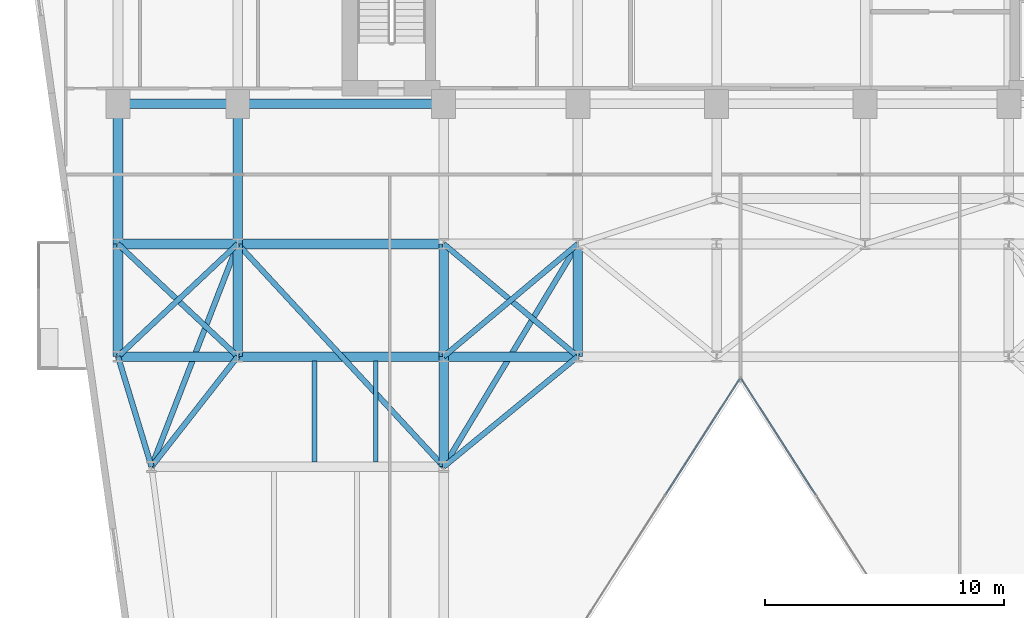
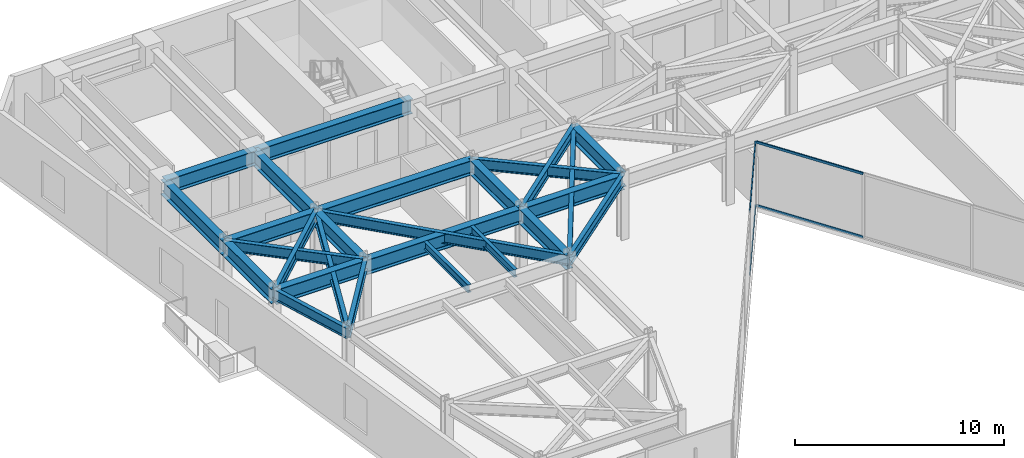
# One storey, part 6 of 20: 26 beams, 4 members, 2 elements without a shape of their own.
"""IFC4 building model written with IfcOpenShell, lengths in metres."""

from ifc_helpers import new_model, si_unit, direction, frame, origin, origin_2d, place, context, subcontext, project, spatial, hollow_rectangle, i_section, extrude, material, layer, layer_set, material_profile, profile_set, type_object, element, aggregate, save


model = new_model("IFC4")

# Units and contexts
model_context = context("Model", 3, precision=1e-05, world=origin(), true_north=direction((0.0, 1.0)))
body_context = subcontext(model_context, "Body", "Model", "MODEL_VIEW")
ifc_project = project(units=[si_unit("LENGTHUNIT", "METRE"), si_unit("AREAUNIT", "SQUARE_METRE"), si_unit("VOLUMEUNIT", "CUBIC_METRE"), si_unit("PLANEANGLEUNIT", "RADIAN"), si_unit("MASSUNIT", "GRAM", prefix="KILO")], contexts=[model_context])

# Site, building, storey
site_placement = place(None, origin())
site = spatial("IfcSite", under=ifc_project, at=site_placement, CompositionType="ELEMENT")
building_placement = place(site_placement, origin())
building = spatial("IfcBuilding", under=site, at=building_placement, Name="Kravanh Interchange Tower", CompositionType="ELEMENT")
storey_placement = place(building_placement, frame((0.0, 0.0, 104.0)))
storey = spatial("IfcBuildingStorey", under=building, at=storey_placement, Name="L24", CompositionType="ELEMENT", Elevation=104.0)

# Curtain wall, members
ifc_material_1 = material(Name="Anodised Bronze Aluminium", Category="aluminium")
ifc_layer = layer(ifc_material_1, 0.179931640625)
ifc_layer_set = layer_set([ifc_layer], Name="Unitised Curtain Wall System CW-Z2 Mid Office")
curtain_wall_type = type_object("IfcCurtainWallType", Name="Unitised Curtain Wall System CW-Z2 Mid Office", PredefinedType="NOTDEFINED", material=ifc_layer_set)
curtain_wall_1_placement = place(storey_placement, origin())
curtain_wall_1 = element("IfcCurtainWall", 1, at=curtain_wall_1_placement, inside=storey, type_object=curtain_wall_type, Name="L24 Unitised Curtain Wall CW-L24-03", PredefinedType="NOTDEFINED")
ifc_material_2 = material(Name="Anodised Bronze Aluminium", Category="aluminium")
ifc_material_profile_1 = material_profile(ifc_material_2, hollow_rectangle(XDim=0.06005859375, YDim=0.139892578125, WallThickness=0.00390625, at=origin_2d()), Name="ALU60X140X4")
ifc_profile_set_1 = profile_set([ifc_material_profile_1], Name="Anodised Bronze Aluminium")
member_type = type_object("IfcMemberType", Name="Curtain Wall Transom ALU60X140X4 Bronze", PredefinedType="USERDEFINED", material=ifc_profile_set_1)
member_1_placement = place(storey_placement, frame((42.72509765625, 21.047119140625, 0.030029296875), z_axis=(-0.53966766312, 0.841878146398, 0.0), x_axis=(-0.841878146398, -0.53966766312, 0.0)))
member_1 = element("IfcMember", 2, at=member_1_placement, type_object=member_type, Name="CW-Z2 transom 4.1", ObjectType="TRANSOM", PredefinedType="USERDEFINED", context=body_context, shape_type="SweptSolid", body=[
    extrude(hollow_rectangle(XDim=0.06005859375, YDim=0.139892578125, WallThickness=0.00390625, at=origin_2d()), origin(), (0.0, 0.0, 1.0), 5.73095703125),
])
member_2_placement = place(storey_placement, frame((42.72509765625, 21.047119140625, 3.719970703125), z_axis=(-0.53966766312, 0.841878146398, 0.0), x_axis=(-0.841878146398, -0.53966766312, 0.0)))
member_2 = element("IfcMember", 3, at=member_2_placement, type_object=member_type, Name="CW-Z2 transom 4.2", ObjectType="TRANSOM", PredefinedType="USERDEFINED", context=body_context, shape_type="SweptSolid", body=[
    extrude(hollow_rectangle(XDim=0.06005859375, YDim=0.139892578125, WallThickness=0.00390625, at=origin_2d()), origin(), (0.0, 0.0, 1.0), 5.73095703125),
])
aggregate(curtain_wall_1, [member_1, member_2])

curtain_wall_2_placement = place(storey_placement, origin())
curtain_wall_2 = element("IfcCurtainWall", 4, at=curtain_wall_2_placement, inside=storey, type_object=curtain_wall_type, Name="L24 Unitised Curtain Wall CW-L24-04", PredefinedType="NOTDEFINED")
member_3_placement = place(storey_placement, frame((39.567626953125, 25.871826171875, 0.030029296875), z_axis=(-0.53966766312, -0.841878146398, 0.0), x_axis=(0.841878146398, -0.53966766312, 0.0)))
member_3 = element("IfcMember", 5, at=member_3_placement, type_object=member_type, Name="CW-Z2 transom 1.1", ObjectType="TRANSOM", PredefinedType="USERDEFINED", context=body_context, shape_type="SweptSolid", body=[
    extrude(hollow_rectangle(XDim=0.06005859375, YDim=0.139892578125, WallThickness=0.00390625, at=origin_2d()), origin(), (0.0, 0.0, 1.0), 5.73095703125),
])
member_4_placement = place(storey_placement, frame((39.567626953125, 25.871826171875, 3.719970703125), z_axis=(-0.53966766312, -0.841878146398, 0.0), x_axis=(0.841878146398, -0.53966766312, 0.0)))
member_4 = element("IfcMember", 6, at=member_4_placement, type_object=member_type, Name="CW-Z2 transom 1.2", ObjectType="TRANSOM", PredefinedType="USERDEFINED", context=body_context, shape_type="SweptSolid", body=[
    extrude(hollow_rectangle(XDim=0.06005859375, YDim=0.139892578125, WallThickness=0.00390625, at=origin_2d()), origin(), (0.0, 0.0, 1.0), 5.73095703125),
])
aggregate(curtain_wall_2, [member_3, member_4])

# Beams
ifc_material_3 = material(Name="Structural Steel S355", Category="steel")
ifc_material_profile_2 = material_profile(ifc_material_3, i_section(OverallWidth=0.39990234375, OverallDepth=0.85595703125, WebThickness=0.018310546875, FlangeThickness=0.029296875, FilletRadius=0.02490234375, at=origin_2d()), Name="W33X201")
ifc_profile_set_2 = profile_set([ifc_material_profile_2], Name="Structural Steel S355")
beam_type_1 = type_object("IfcBeamType", Name="Floor Beam W33X201 Structural Steel S355", PredefinedType="BEAM", material=ifc_profile_set_2)
beam_1_placement = place(storey_placement, frame((27.199951171875, 37.35009765625, 3.322021484375), z_axis=(-1.0, 0.0, 0.0), x_axis=(0.0, -1.0, 0.0)))
element("IfcBeam", 7, at=beam_1_placement, inside=storey, type_object=beam_type_1, Name="L24 Primary Floor Girder 25", PredefinedType="BEAM", context=body_context, shape_type="SweptSolid", body=[
    extrude(i_section(OverallWidth=0.39990234375, OverallDepth=0.85595703125, WebThickness=0.018310546875, FlangeThickness=0.029296875, FilletRadius=0.02490234375, at=origin_2d()), origin(), (0.0, 0.0, 1.0), 8.599853515625),
])
beam_2_placement = place(storey_placement, frame((18.60009765625, 37.35009765625, 3.322021484375), z_axis=(-1.0, 0.0, 0.0), x_axis=(0.0, -1.0, 0.0)))
element("IfcBeam", 8, at=beam_2_placement, inside=storey, type_object=beam_type_1, Name="L24 Primary Floor Girder 28", PredefinedType="BEAM", context=body_context, shape_type="SweptSolid", body=[
    extrude(i_section(OverallWidth=0.39990234375, OverallDepth=0.85595703125, WebThickness=0.018310546875, FlangeThickness=0.029296875, FilletRadius=0.02490234375, at=origin_2d()), origin(), (0.0, 0.0, 1.0), 5.0),
])
for number, where, z_axis, x_axis, name in (
    (9, (18.60009765625, 37.35009765625, 3.322021484375), (0.0, -1.0, 0.0), (1.0, 0.0, 0.0), "L24 Primary Floor Girder 29"),
    (10, (13.60009765625, 37.35009765625, 3.322021484375), (0.0, -1.0, 0.0), (1.0, 0.0, 0.0), "L24 Primary Floor Girder 32"),
):
    element("IfcBeam", number, at=place(storey_placement, frame(where, z_axis=z_axis, x_axis=x_axis)), inside=storey, type_object=beam_type_1, Name=name, PredefinedType="BEAM", context=body_context, shape_type="SweptSolid", body=[
        extrude(i_section(OverallWidth=0.39990234375, OverallDepth=0.85595703125, WebThickness=0.018310546875, FlangeThickness=0.029296875, FilletRadius=0.02490234375, at=origin_2d()), origin(), (0.0, 0.0, 1.0), 5.85009765625),
    ])
beam_3_placement = place(storey_placement, frame((13.60009765625, 26.800048828125, 3.322021484375), z_axis=(0.0, 1.0, 0.0), x_axis=(-1.0, 0.0, 0.0)))
element("IfcBeam", 11, at=beam_3_placement, inside=storey, type_object=beam_type_1, Name="L24 Primary Floor Girder 37", PredefinedType="BEAM", context=body_context, shape_type="SweptSolid", body=[
    extrude(i_section(OverallWidth=0.39990234375, OverallDepth=0.85595703125, WebThickness=0.018310546875, FlangeThickness=0.029296875, FilletRadius=0.02490234375, at=origin_2d()), origin(), (0.0, 0.0, 1.0), 4.699951171875),
])
beam_4_placement = place(storey_placement, frame((13.60009765625, 26.800048828125, 3.322021484375), z_axis=(1.0, 0.0, 0.0), x_axis=(0.0, 1.0, 0.0)))
element("IfcBeam", 12, at=beam_4_placement, inside=storey, type_object=beam_type_1, Name="L24 Primary Floor Girder 39", PredefinedType="BEAM", context=body_context, shape_type="SweptSolid", body=[
    extrude(i_section(OverallWidth=0.39990234375, OverallDepth=0.85595703125, WebThickness=0.018310546875, FlangeThickness=0.029296875, FilletRadius=0.02490234375, at=origin_2d()), origin(), (0.0, 0.0, 1.0), 5.0),
])
beam_5_placement = place(storey_placement, frame((18.60009765625, 26.800048828125, 3.322021484375), z_axis=(0.0, 1.0, 0.0), x_axis=(-1.0, 0.0, 0.0)))
element("IfcBeam", 13, at=beam_5_placement, inside=storey, type_object=beam_type_1, Name="L24 Primary Floor Girder 41", PredefinedType="BEAM", context=body_context, shape_type="SweptSolid", body=[
    extrude(i_section(OverallWidth=0.39990234375, OverallDepth=0.85595703125, WebThickness=0.018310546875, FlangeThickness=0.029296875, FilletRadius=0.02490234375, at=origin_2d()), origin(), (0.0, 0.0, 1.0), 4.699951171875),
])
beam_6_placement = place(storey_placement, frame((18.60009765625, 26.800048828125, 3.322021484375), z_axis=(1.0, 0.0, 0.0), x_axis=(0.0, 1.0, 0.0)))
element("IfcBeam", 14, at=beam_6_placement, inside=storey, type_object=beam_type_1, Name="L24 Primary Floor Girder 44", PredefinedType="BEAM", context=body_context, shape_type="SweptSolid", body=[
    extrude(i_section(OverallWidth=0.39990234375, OverallDepth=0.85595703125, WebThickness=0.018310546875, FlangeThickness=0.029296875, FilletRadius=0.02490234375, at=origin_2d()), origin(), (0.0, 0.0, 1.0), 8.599853515625),
])
beam_7_placement = place(storey_placement, frame((27.199951171875, 26.800048828125, 3.322021484375), z_axis=(0.0, -1.0, 0.0), x_axis=(1.0, 0.0, 0.0)))
element("IfcBeam", 15, at=beam_7_placement, inside=storey, type_object=beam_type_1, Name="L24 Primary Floor Girder 45", PredefinedType="BEAM", context=body_context, shape_type="SweptSolid", body=[
    extrude(i_section(OverallWidth=0.39990234375, OverallDepth=0.85595703125, WebThickness=0.018310546875, FlangeThickness=0.029296875, FilletRadius=0.02490234375, at=origin_2d()), origin(), (0.0, 0.0, 1.0), 4.60009765625),
])
beam_8_placement = place(storey_placement, frame((27.199951171875, 26.800048828125, 3.322021484375), z_axis=(0.0, 1.0, 0.0), x_axis=(-1.0, 0.0, 0.0)))
element("IfcBeam", 16, at=beam_8_placement, inside=storey, type_object=beam_type_1, Name="L24 Primary Floor Girder 46", PredefinedType="BEAM", context=body_context, shape_type="SweptSolid", body=[
    extrude(i_section(OverallWidth=0.39990234375, OverallDepth=0.85595703125, WebThickness=0.018310546875, FlangeThickness=0.029296875, FilletRadius=0.02490234375, at=origin_2d()), origin(), (0.0, 0.0, 1.0), 4.699951171875),
])
beam_9_placement = place(storey_placement, frame((27.199951171875, 26.800048828125, 3.322021484375), z_axis=(1.0, 0.0, 0.0), x_axis=(0.0, 1.0, 0.0)))
element("IfcBeam", 17, at=beam_9_placement, inside=storey, type_object=beam_type_1, Name="L24 Primary Floor Girder 47", PredefinedType="BEAM", context=body_context, shape_type="SweptSolid", body=[
    extrude(i_section(OverallWidth=0.39990234375, OverallDepth=0.85595703125, WebThickness=0.018310546875, FlangeThickness=0.029296875, FilletRadius=0.02490234375, at=origin_2d()), origin(), (0.0, 0.0, 1.0), 5.60009765625),
])
beam_10_placement = place(storey_placement, frame((32.800048828125, 26.800048828125, 3.322021484375), z_axis=(0.0, 1.0, 0.0), x_axis=(-1.0, 0.0, 0.0)))
element("IfcBeam", 18, at=beam_10_placement, inside=storey, type_object=beam_type_1, Name="L24 Primary Floor Girder 49", PredefinedType="BEAM", context=body_context, shape_type="SweptSolid", body=[
    extrude(i_section(OverallWidth=0.39990234375, OverallDepth=0.85595703125, WebThickness=0.018310546875, FlangeThickness=0.029296875, FilletRadius=0.02490234375, at=origin_2d()), origin(), (0.0, 0.0, 1.0), 4.699951171875),
])
beam_11_placement = place(storey_placement, frame((13.60009765625, 31.5, 3.322021484375), z_axis=(1.0, 0.0, 0.0), x_axis=(0.0, 1.0, 0.0)))
element("IfcBeam", 19, at=beam_11_placement, inside=storey, type_object=beam_type_1, Name="L24 Primary Floor Girder 69", PredefinedType="BEAM", context=body_context, shape_type="SweptSolid", body=[
    extrude(i_section(OverallWidth=0.39990234375, OverallDepth=0.85595703125, WebThickness=0.018310546875, FlangeThickness=0.029296875, FilletRadius=0.02490234375, at=origin_2d()), origin(), (0.0, 0.0, 1.0), 5.0),
])
beam_12_placement = place(storey_placement, frame((18.60009765625, 31.5, 3.322021484375), z_axis=(1.0, 0.0, 0.0), x_axis=(0.0, 1.0, 0.0)))
element("IfcBeam", 20, at=beam_12_placement, inside=storey, type_object=beam_type_1, Name="L24 Primary Floor Girder 71", PredefinedType="BEAM", context=body_context, shape_type="SweptSolid", body=[
    extrude(i_section(OverallWidth=0.39990234375, OverallDepth=0.85595703125, WebThickness=0.018310546875, FlangeThickness=0.029296875, FilletRadius=0.02490234375, at=origin_2d()), origin(), (0.0, 0.0, 1.0), 8.599853515625),
])
ifc_material_4 = material(Name="Structural Steel S355", Category="steel")
ifc_material_profile_3 = material_profile(ifc_material_4, i_section(OverallWidth=0.18994140625, OverallDepth=0.45703125, WebThickness=0.009033203125, FlangeThickness=0.014404296875, FilletRadius=0.01806640625, at=origin_2d()), Name="W18X50")
ifc_profile_set_3 = profile_set([ifc_material_profile_3], Name="Structural Steel S355")
beam_type_2 = type_object("IfcBeamType", Name="Floor Joist W18X50 Structural Steel S355", PredefinedType="JOIST", material=ifc_profile_set_3)
for number, where, z_axis, x_axis, name in (
    (21, (21.804931640625, 22.39501953125, 3.521484375), (0.0, 1.0, 0.0), (-1.0, 0.0, 0.0), "L24 Secondary Floor Joist 11"),
    (22, (24.360107421875, 22.39501953125, 3.521484375), (0.0, 1.0, 0.0), (-1.0, 0.0, 0.0), "L24 Secondary Floor Joist 12"),
):
    element("IfcBeam", number, at=place(storey_placement, frame(where, z_axis=z_axis, x_axis=x_axis)), inside=storey, type_object=beam_type_2, Name=name, PredefinedType="JOIST", context=body_context, shape_type="SweptSolid", body=[
        extrude(i_section(OverallWidth=0.18994140625, OverallDepth=0.45703125, WebThickness=0.009033203125, FlangeThickness=0.014404296875, FilletRadius=0.01806640625, at=origin_2d()), origin(), (0.0, 0.0, 1.0), 4.2099609375),
    ])
ifc_material_5 = material(Name="Structural Steel S355", Category="steel")
ifc_material_profile_4 = material_profile(ifc_material_5, i_section(OverallWidth=0.22802734375, OverallDepth=0.60791015625, WebThickness=0.01123046875, FlangeThickness=0.017333984375, FilletRadius=0.02197265625, at=origin_2d()), Name="W24X76")
ifc_profile_set_4 = profile_set([ifc_material_profile_4], Name="Structural Steel S355")
beam_type_3 = type_object("IfcBeamType", Name="Floor Spandrel W24X76 Structural Steel S355", PredefinedType="SPANDREL", material=ifc_profile_set_4)
beam_13_placement = place(storey_placement, frame((13.60009765625, 26.800048828125, 3.446044921875), z_axis=(0.291137370727, -0.956681259023, 0.0), x_axis=(0.956681259023, 0.291137370727, 0.0)))
element("IfcBeam", 23, at=beam_13_placement, inside=storey, type_object=beam_type_3, Name="L24 Perimeter Spandrel 38", PredefinedType="SPANDREL", context=body_context, shape_type="SweptSolid", body=[
    extrude(i_section(OverallWidth=0.22802734375, OverallDepth=0.60791015625, WebThickness=0.01123046875, FlangeThickness=0.017333984375, FilletRadius=0.02197265625, at=origin_2d()), origin(), (0.0, 0.0, 1.0), 4.808349609375),
])
beam_14_placement = place(storey_placement, frame((13.60009765625, 26.800048828125, 3.446044921875), z_axis=(0.728631219862, 0.684906231131, 0.0), x_axis=(-0.684906231131, 0.728631219862, 0.0)))
element("IfcBeam", 24, at=beam_14_placement, inside=storey, type_object=beam_type_3, Name="L24 Perimeter Spandrel 40", PredefinedType="SPANDREL", context=body_context, shape_type="SweptSolid", body=[
    extrude(i_section(OverallWidth=0.22802734375, OverallDepth=0.60791015625, WebThickness=0.01123046875, FlangeThickness=0.017333984375, FilletRadius=0.02197265625, at=origin_2d()), origin(), (0.0, 0.0, 1.0), 6.862060546875),
])
beam_15_placement = place(storey_placement, frame((18.60009765625, 26.800048828125, 3.446044921875), z_axis=(-0.616310515553, -0.787503237085, 0.0), x_axis=(0.787503237085, -0.616310515553, 0.0)))
element("IfcBeam", 25, at=beam_15_placement, inside=storey, type_object=beam_type_3, Name="L24 Perimeter Spandrel 42", PredefinedType="SPANDREL", context=body_context, shape_type="SweptSolid", body=[
    extrude(i_section(OverallWidth=0.22802734375, OverallDepth=0.60791015625, WebThickness=0.01123046875, FlangeThickness=0.017333984375, FilletRadius=0.02197265625, at=origin_2d()), origin(), (0.0, 0.0, 1.0), 5.84130859375),
])
beam_16_placement = place(storey_placement, frame((18.60009765625, 26.800048828125, 3.446044921875), z_axis=(-0.728631219862, 0.684906231131, 0.0), x_axis=(-0.684906231131, -0.728631219862, 0.0)))
element("IfcBeam", 26, at=beam_16_placement, inside=storey, type_object=beam_type_3, Name="L24 Perimeter Spandrel 43", PredefinedType="SPANDREL", context=body_context, shape_type="SweptSolid", body=[
    extrude(i_section(OverallWidth=0.22802734375, OverallDepth=0.60791015625, WebThickness=0.01123046875, FlangeThickness=0.017333984375, FilletRadius=0.02197265625, at=origin_2d()), origin(), (0.0, 0.0, 1.0), 6.862060546875),
])
beam_17_placement = place(storey_placement, frame((27.199951171875, 26.800048828125, 3.446044921875), z_axis=(0.765983062929, 0.642860752657, 0.0), x_axis=(-0.642860752657, 0.765983062929, 0.0)))
element("IfcBeam", 27, at=beam_17_placement, inside=storey, type_object=beam_type_3, Name="L24 Perimeter Spandrel 48", PredefinedType="SPANDREL", context=body_context, shape_type="SweptSolid", body=[
    extrude(i_section(OverallWidth=0.22802734375, OverallDepth=0.60791015625, WebThickness=0.01123046875, FlangeThickness=0.017333984375, FilletRadius=0.02197265625, at=origin_2d()), origin(), (0.0, 0.0, 1.0), 7.31103515625),
])
beam_18_placement = place(storey_placement, frame((32.800048828125, 26.800048828125, 3.446044921875), z_axis=(-0.772725074305, -0.634740860147, 0.0), x_axis=(0.634740860147, -0.772725074305, 0.0)))
element("IfcBeam", 28, at=beam_18_placement, inside=storey, type_object=beam_type_3, Name="L24 Perimeter Spandrel 51", PredefinedType="SPANDREL", context=body_context, shape_type="SweptSolid", body=[
    extrude(i_section(OverallWidth=0.22802734375, OverallDepth=0.60791015625, WebThickness=0.01123046875, FlangeThickness=0.017333984375, FilletRadius=0.02197265625, at=origin_2d()), origin(), (0.0, 0.0, 1.0), 7.247314453125),
])
beam_19_placement = place(storey_placement, frame((32.800048828125, 26.800048828125, 3.446044921875), z_axis=(-0.765983062929, 0.642860752657, 0.0), x_axis=(-0.642860752657, -0.765983062929, 0.0)))
element("IfcBeam", 29, at=beam_19_placement, inside=storey, type_object=beam_type_3, Name="L24 Perimeter Spandrel 52", PredefinedType="SPANDREL", context=body_context, shape_type="SweptSolid", body=[
    extrude(i_section(OverallWidth=0.22802734375, OverallDepth=0.60791015625, WebThickness=0.01123046875, FlangeThickness=0.017333984375, FilletRadius=0.02197265625, at=origin_2d()), origin(), (0.0, 0.0, 1.0), 7.31103515625),
])
beam_20_placement = place(storey_placement, frame((18.60009765625, 31.5, 3.446044921875), z_axis=(-0.3610009706, -0.932565439648, 0.0), x_axis=(0.932565439648, -0.3610009706, 0.0)))
element("IfcBeam", 30, at=beam_20_placement, inside=storey, type_object=beam_type_3, Name="L24 Perimeter Spandrel 72", PredefinedType="SPANDREL", context=body_context, shape_type="SweptSolid", body=[
    extrude(i_section(OverallWidth=0.22802734375, OverallDepth=0.60791015625, WebThickness=0.01123046875, FlangeThickness=0.017333984375, FilletRadius=0.02197265625, at=origin_2d()), origin(), (0.0, 0.0, 1.0), 9.97265625),
])
beam_21_placement = place(storey_placement, frame((18.60009765625, 31.5, 3.446044921875), z_axis=(0.678927458783, -0.734205356634, 0.0), x_axis=(0.734205356634, 0.678927458783, 0.0)))
element("IfcBeam", 31, at=beam_21_placement, inside=storey, type_object=beam_type_3, Name="L24 Perimeter Spandrel 73", PredefinedType="SPANDREL", context=body_context, shape_type="SweptSolid", body=[
    extrude(i_section(OverallWidth=0.22802734375, OverallDepth=0.60791015625, WebThickness=0.01123046875, FlangeThickness=0.017333984375, FilletRadius=0.02197265625, at=origin_2d()), origin(), (0.0, 0.0, 1.0), 12.666748046875),
])
beam_22_placement = place(storey_placement, frame((32.800048828125, 31.5, 3.446044921875), z_axis=(-0.515854375109, -0.856676288735, 0.0), x_axis=(0.856676288735, -0.515854375109, 0.0)))
element("IfcBeam", 32, at=beam_22_placement, inside=storey, type_object=beam_type_3, Name="L24 Perimeter Spandrel 80", PredefinedType="SPANDREL", context=body_context, shape_type="SweptSolid", body=[
    extrude(i_section(OverallWidth=0.22802734375, OverallDepth=0.60791015625, WebThickness=0.01123046875, FlangeThickness=0.017333984375, FilletRadius=0.02197265625, at=origin_2d()), origin(), (0.0, 0.0, 1.0), 10.85595703125),
])

save(model, "model.ifc")
